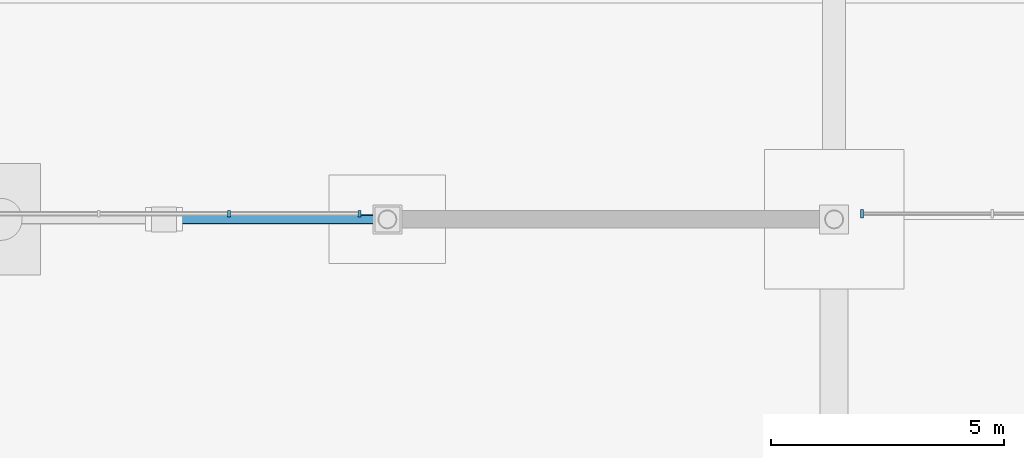
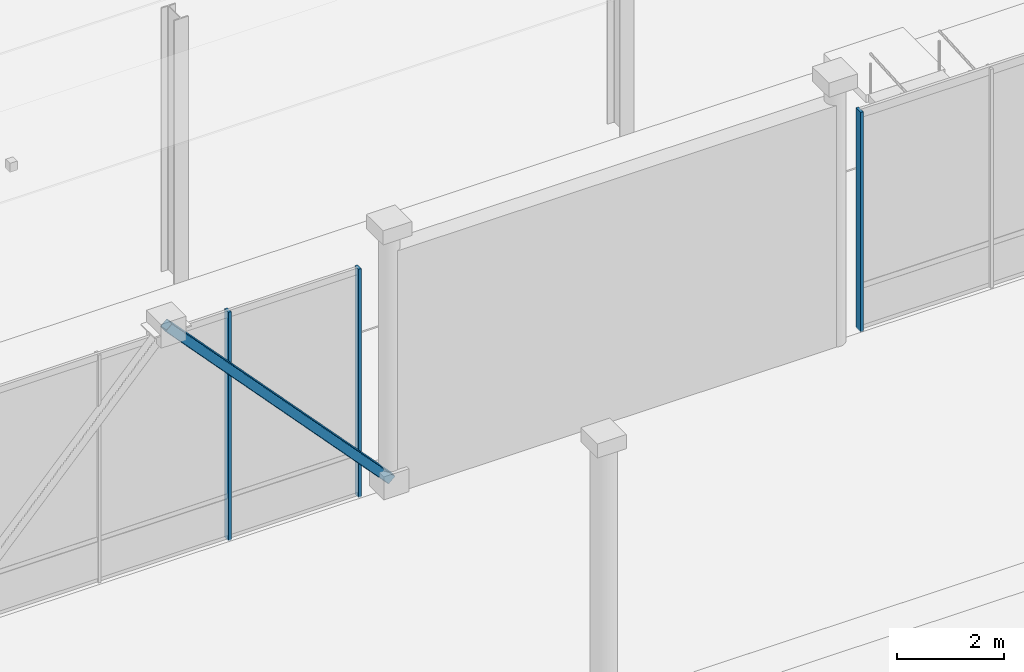
# One storey, part 61 of 124: 4 members, 2 elements without a shape of their own.
"""IFC4 building model written with IfcOpenShell, lengths in metres."""

from ifc_helpers import new_model, si_unit, direction, frame, origin, origin_2d, place, context, subcontext, project, spatial, rectangle, hollow_rectangle, extrude, material, material_profile, profile_set, type_object, element, aggregate, save


model = new_model("IFC4")

# Units and contexts
model_context = context("Model", 3, precision=1e-05, world=origin(), true_north=direction((0.0, 1.0)))
body_context = subcontext(model_context, "Body", "Model", "MODEL_VIEW")
ifc_project = project(units=[si_unit("LENGTHUNIT", "METRE"), si_unit("AREAUNIT", "SQUARE_METRE"), si_unit("VOLUMEUNIT", "CUBIC_METRE"), si_unit("PLANEANGLEUNIT", "RADIAN"), si_unit("MASSUNIT", "GRAM", prefix="KILO")], contexts=[model_context])

# Site, building, storey
site_placement = place(None, origin())
site = spatial("IfcSite", under=ifc_project, at=site_placement, CompositionType="ELEMENT")
building_placement = place(site_placement, origin())
building = spatial("IfcBuilding", under=site, at=building_placement, Name="Danafjord Basin Convention Centre", CompositionType="ELEMENT")
storey_placement = place(building_placement, origin())
storey = spatial("IfcBuildingStorey", under=building, at=storey_placement, Name="L00", CompositionType="ELEMENT", Elevation=0.0)

# Member
ifc_material_1 = material(Name="Steel S355", Category="steel")
ifc_material_profile_1 = material_profile(ifc_material_1, hollow_rectangle(XDim=0.199951171875, YDim=0.199951171875, WallThickness=0.010009765625, InnerFilletRadius=0.014892578125, OuterFilletRadius=0.02490234375, at=origin_2d()), Name="SHS 200x200x10.0")
ifc_profile_set_1 = profile_set([ifc_material_profile_1], Name="Steel S355")
member_type_1 = type_object("IfcMemberType", Name="MEM-BRS-200", PredefinedType="BRACE", material=ifc_profile_set_1)
member_1_placement = place(storey_placement, frame((163.199951171875, 88.0, 0.25), z_axis=(-0.681822621397, 0.0, 0.73151754111), x_axis=(0.0, -1.0, 0.0)))
element("IfcMember", 1, at=member_1_placement, inside=storey, type_object=member_type_1, Name="Diagonal brace BRS-200 (L00 braced frame BF-07 diagonal B)", PredefinedType="BRACE", context=body_context, shape_type="SweptSolid", body=[
    extrude(hollow_rectangle(XDim=0.199951171875, YDim=0.199951171875, WallThickness=0.010009765625, InnerFilletRadius=0.014892578125, OuterFilletRadius=0.02490234375, at=origin_2d()), origin(), (0.0, 0.0, 1.0), 7.0400390625),
])

# Curtain wall, members
ifc_material_2 = material(Name="Anodised aluminium and triple glazing", Category="aluminium")
curtain_wall_type = type_object("IfcCurtainWallType", Name="CW-CW-DRUM", PredefinedType="NOTDEFINED", material=ifc_material_2)
curtain_wall_1_placement = place(storey_placement, origin())
curtain_wall_1 = element("IfcCurtainWall", 2, at=curtain_wall_1_placement, inside=storey, type_object=curtain_wall_type, Name="L00 CW-DRUM unitised curtain wall bay 115", PredefinedType="NOTDEFINED")
ifc_material_3 = material(Name="Anodised aluminium EN AW-6060", Category="aluminium")
ifc_material_profile_2 = material_profile(ifc_material_3, rectangle(XDim=0.06005859375, YDim=0.139892578125, at=origin_2d()), Name="MULL 60x140")
ifc_profile_set_2 = profile_set([ifc_material_profile_2], Name="Anodised aluminium EN AW-6060")
member_type_2 = type_object("IfcMemberType", Name="MEM-ML-140", PredefinedType="MULLION", material=ifc_profile_set_2)
member_2_placement = place(storey_placement, frame((159.800048828125, 88.1201171875, -0.02490234375), z_axis=(0.0, 0.0, 1.0), x_axis=(1.0, 0.0, 0.0)))
member_2 = element("IfcMember", 3, at=member_2_placement, type_object=member_type_2, Name="CW-L00-115 mullion 3", PredefinedType="MULLION", context=body_context, shape_type="SweptSolid", body=[
    extrude(rectangle(XDim=0.06005859375, YDim=0.139892578125, at=origin_2d()), origin(), (0.0, 0.0, 1.0), 5.204833984375),
])
member_3_placement = place(storey_placement, frame((162.60009765625, 88.1201171875, -0.02490234375), z_axis=(0.0, 0.0, 1.0), x_axis=(1.0, 0.0, 0.0)))
member_3 = element("IfcMember", 4, at=member_3_placement, type_object=member_type_2, Name="CW-L00-115 mullion 4", PredefinedType="MULLION", context=body_context, shape_type="SweptSolid", body=[
    extrude(rectangle(XDim=0.06005859375, YDim=0.139892578125, at=origin_2d()), origin(), (0.0, 0.0, 1.0), 5.204833984375),
])
aggregate(curtain_wall_1, [member_2, member_3])

# Curtain wall, member
curtain_wall_2_placement = place(storey_placement, origin())
curtain_wall_2 = element("IfcCurtainWall", 5, at=curtain_wall_2_placement, inside=storey, type_object=curtain_wall_type, Name="L00 CW-DRUM unitised curtain wall bay 116", PredefinedType="NOTDEFINED")
ifc_material_profile_3 = material_profile(ifc_material_3, rectangle(XDim=0.06005859375, YDim=0.179931640625, at=origin_2d()), Name="MULL 60x180")
ifc_profile_set_3 = profile_set([ifc_material_profile_3], Name="Anodised aluminium EN AW-6060")
member_type_3 = type_object("IfcMemberType", Name="MEM-ML-180", PredefinedType="MULLION", material=ifc_profile_set_3)
member_4_placement = place(storey_placement, frame((173.39990234375, 88.1201171875, -0.02490234375), z_axis=(0.0, 0.0, 1.0), x_axis=(1.0, 0.0, 0.0)))
member_4 = element("IfcMember", 6, at=member_4_placement, type_object=member_type_3, Name="CW-L00-116 mullion 1", PredefinedType="MULLION", context=body_context, shape_type="SweptSolid", body=[
    extrude(rectangle(XDim=0.06005859375, YDim=0.179931640625, at=origin_2d()), origin(), (0.0, 0.0, 1.0), 5.0048828125),
])
aggregate(curtain_wall_2, [member_4])

save(model, "model.ifc")
